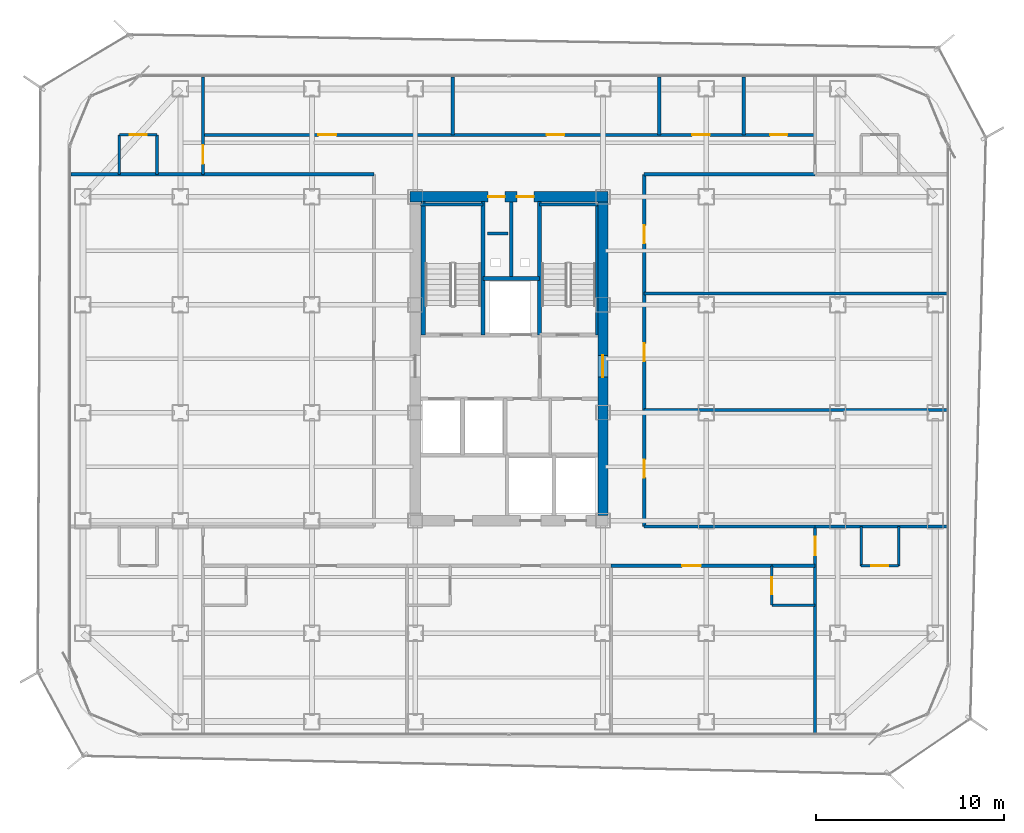
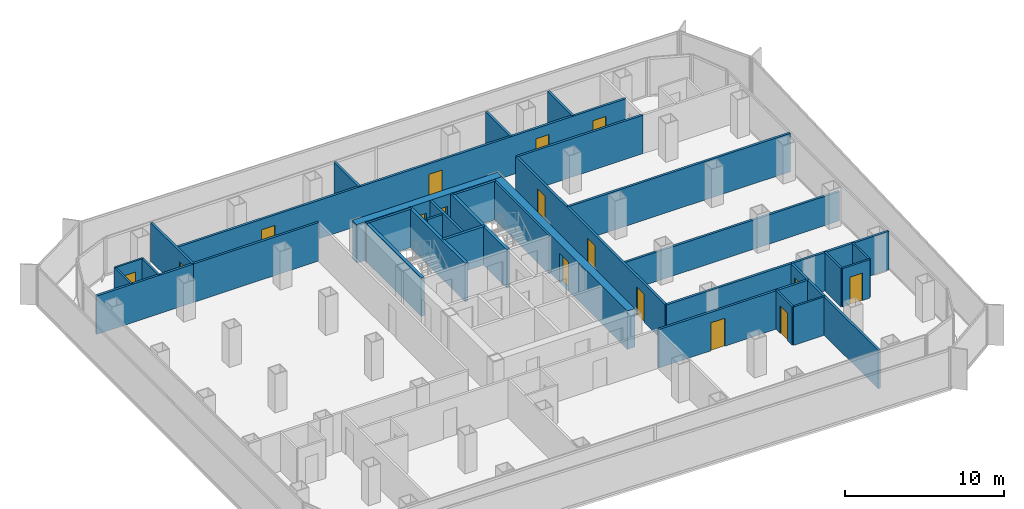
# One storey, part 17 of 21: 35 walls, 16 doors, 16 openings.
"""IFC4 building model written with IfcOpenShell, lengths in metres."""

from ifc_helpers import new_model, si_unit, direction, frame, frame_2d, origin, place, context, subcontext, project, spatial, rectangle, extrude, material, layer, layer_set, type_object, element, fill, save


model = new_model("IFC4")

# Units and contexts
model_context = context("Model", 3, precision=1e-05, world=origin(), true_north=direction((0.0, 1.0)))
body_context = subcontext(model_context, "Body", "Model", "MODEL_VIEW")
ifc_project = project(units=[si_unit("LENGTHUNIT", "METRE"), si_unit("AREAUNIT", "SQUARE_METRE"), si_unit("VOLUMEUNIT", "CUBIC_METRE"), si_unit("PLANEANGLEUNIT", "RADIAN"), si_unit("MASSUNIT", "GRAM", prefix="KILO")], contexts=[model_context])

# Site, building, storey
site_placement = place(None, origin())
site = spatial("IfcSite", under=ifc_project, at=site_placement, CompositionType="ELEMENT")
building_placement = place(site_placement, origin())
building = spatial("IfcBuilding", under=site, at=building_placement, Name="Kolveth Station Tower", CompositionType="ELEMENT")
storey_placement = place(building_placement, frame((0.0, 0.0, 118.300048828125)))
storey = spatial("IfcBuildingStorey", under=building, at=storey_placement, Name="L32", CompositionType="ELEMENT", Elevation=118.300048828125)

# Wall, openings, doors
ifc_material_1 = material(Name="Concrete C60/75", Category="concrete")
ifc_layer_1 = layer(ifc_material_1, 0.550048828125)
ifc_layer_set_1 = layer_set([ifc_layer_1], Name="Concrete C60/75")
wall_type_1 = type_object("IfcWallType", Name="Wall_CW-550", PredefinedType="SHEAR", material=ifc_layer_set_1)
wall_1_placement = place(storey_placement, frame((18.22509765625, 28.75, 0.0), z_axis=(0.0, 0.0, 1.0), x_axis=(1.0, 0.0, 0.0)))
wall_1 = element("IfcWall", 1, at=wall_1_placement, inside=storey, type_object=wall_type_1, Name="L32 Core RC Shear Wall N", PredefinedType="SHEAR", context=body_context, shape_type="SweptSolid", body=[
    extrude(rectangle(XDim=10.5498046875, YDim=0.550048828125, at=frame_2d((5.27490234375, 0.0))), origin(), (0.0, 0.0, 1.0), 2.949951171875),
])
opening_1_placement = place(wall_1_placement, frame((4.155029296875, 0.0, 0.0)))
opening_1 = element("IfcOpeningElement", 2, at=opening_1_placement, cuts=wall_1, Name="Opening RD1", PredefinedType="OPENING", context=body_context, shape_type="SweptSolid", body=[
    extrude(rectangle(XDim=0.89990234375, YDim=2.050048828125, at=frame_2d((0.449951171875, 1.02490234375))), frame((0.0, 0.284912109375, 0.0), z_axis=(0.0, -1.0, 0.0), x_axis=(1.0, 0.0, 0.0)), (0.0, 0.0, 1.0), 0.570068359375),
])
opening_2_placement = place(wall_1_placement, frame((5.695068359375, 0.0, 0.0)))
opening_2 = element("IfcOpeningElement", 3, at=opening_2_placement, cuts=wall_1, Name="Opening RD1", PredefinedType="OPENING", context=body_context, shape_type="SweptSolid", body=[
    extrude(rectangle(XDim=0.89990234375, YDim=2.050048828125, at=frame_2d((0.449951171875, 1.02490234375))), frame((0.0, 0.284912109375, 0.0), z_axis=(0.0, -1.0, 0.0), x_axis=(1.0, 0.0, 0.0)), (0.0, 0.0, 1.0), 0.570068359375),
])
ifc_material_2 = material(Name="Fire-rated Steel S355 riser access leaf", Category="steel")
door_type_1 = type_object("IfcDoorType", Name="Door_RD1", OperationType="NOTDEFINED", PredefinedType="DOOR", material=ifc_material_2)
door_1_placement = place(opening_1_placement, origin())
door_1 = element("IfcDoor", 4, at=door_1_placement, inside=storey, type_object=door_type_1, Name="L32 Electrical Riser Access Door", OperationType="SINGLE_SWING_RIGHT", OverallHeight=2.050048828125, OverallWidth=0.89990234375, PredefinedType="DOOR", context=body_context, shape_type="SweptSolid", body=[
    extrude(rectangle(XDim=0.89990234375, YDim=2.050048828125, at=frame_2d((0.449951171875, 1.02490234375))), frame((0.0, 0.02490234375, 0.0), z_axis=(0.0, -1.0, 0.0), x_axis=(1.0, 0.0, 0.0)), (0.0, 0.0, 1.0), 0.050048828125),
])
fill(opening_1, door_1)
door_2_placement = place(opening_2_placement, origin())
door_2 = element("IfcDoor", 5, at=door_2_placement, inside=storey, type_object=door_type_1, Name="L32 Smoke Duct Access Door", OperationType="SINGLE_SWING_LEFT", OverallHeight=2.050048828125, OverallWidth=0.89990234375, PredefinedType="DOOR", context=body_context, shape_type="SweptSolid", body=[
    extrude(rectangle(XDim=0.89990234375, YDim=2.050048828125, at=frame_2d((0.449951171875, 1.02490234375))), frame((0.0, 0.02490234375, 0.0), z_axis=(0.0, -1.0, 0.0), x_axis=(1.0, 0.0, 0.0)), (0.0, 0.0, 1.0), 0.050048828125),
])
fill(opening_2, door_2)

# Wall, opening, door
wall_2_placement = place(storey_placement, frame((28.5, 11.77490234375, 0.0), z_axis=(0.0, 0.0, 1.0), x_axis=(0.0, 1.0, 0.0)))
wall_2 = element("IfcWall", 6, at=wall_2_placement, inside=storey, type_object=wall_type_1, Name="L32 Core RC Shear Wall E", PredefinedType="SHEAR", context=body_context, shape_type="SweptSolid", body=[
    extrude(rectangle(XDim=16.7001953125, YDim=0.550048828125, at=frame_2d((8.35009765625, 0.0))), origin(), (0.0, 0.0, 1.0), 2.949951171875),
])
opening_3_placement = place(wall_2_placement, frame((7.375, 0.0, 0.0)))
opening_3 = element("IfcOpeningElement", 7, at=opening_3_placement, cuts=wall_2, Name="Opening FD1", PredefinedType="OPENING", context=body_context, shape_type="SweptSolid", body=[
    extrude(rectangle(XDim=1.14990234375, YDim=2.199951171875, at=frame_2d((0.574951171875, 1.10009765625))), frame((0.0, 0.284912109375, 0.0), z_axis=(0.0, -1.0, 0.0), x_axis=(1.0, 0.0, 0.0)), (0.0, 0.0, 1.0), 0.570068359375),
])
ifc_material_3 = material(Name="Fire-rated Steel S355 leaf and frame", Category="steel")
door_type_2 = type_object("IfcDoorType", Name="Door_FD1", OperationType="NOTDEFINED", PredefinedType="DOOR", material=ifc_material_3)
door_3_placement = place(opening_3_placement, origin())
door_3 = element("IfcDoor", 8, at=door_3_placement, inside=storey, type_object=door_type_2, Name="L32 East Corridor to Stair Lobby Door", OperationType="SINGLE_SWING_LEFT", OverallHeight=2.199951171875, OverallWidth=1.14990234375, PredefinedType="DOOR", context=body_context, shape_type="SweptSolid", body=[
    extrude(rectangle(XDim=1.14990234375, YDim=2.199951171875, at=frame_2d((0.574951171875, 1.10009765625))), frame((0.0, 0.02490234375, 0.0), z_axis=(0.0, -1.0, 0.0), x_axis=(1.0, 0.0, 0.0)), (0.0, 0.0, 1.0), 0.050048828125),
])
fill(opening_3, door_3)

# Walls
ifc_material_4 = material(Name="Moisture-resistant gypsum partition")
ifc_layer_2 = layer(ifc_material_4, 0.135009765625)
ifc_layer_set_2 = layer_set([ifc_layer_2], Name="Moisture-resistant gypsum partition")
wall_type_2 = type_object("IfcWallType", Name="Wall_IW-135", PredefinedType="PARTITIONING", material=ifc_layer_set_2)
wall_3_placement = place(storey_placement, frame((28.16748046875, 21.389892578125, 0.0), z_axis=(0.0, 0.0, 1.0), x_axis=(0.0, 1.0, 0.0)))
element("IfcWall", 9, at=wall_3_placement, inside=storey, type_object=wall_type_2, Name="L32 Stair Shaft Wall WL-L32-ST2-E", PredefinedType="PARTITIONING", context=body_context, shape_type="SweptSolid", body=[
    extrude(rectangle(XDim=6.945068359375, YDim=0.135009765625, at=frame_2d((3.47265625, 0.0))), origin(), (0.0, 0.0, 1.0), 2.949951171875),
])
for number, where, z_axis, x_axis, name in (
    (10, (2.75, 29.949951171875, 0.0), (0.0, 0.0, 1.0), (0.0, 1.0, 0.0), "L32 Partition Wall WL-L32-WS2-BV1"),
    (11, (4.75, 29.949951171875, 0.0), (0.0, 0.0, 1.0), (0.0, 1.0, 0.0), "L32 Partition Wall WL-L32-WS2-BV2"),
):
    element("IfcWall", number, at=place(storey_placement, frame(where, z_axis=z_axis, x_axis=x_axis)), inside=storey, type_object=wall_type_2, Name=name, PredefinedType="PARTITIONING", context=body_context, shape_type="SweptSolid", body=[
        extrude(rectangle(XDim=2.10009765625, YDim=0.135009765625, at=frame_2d((1.050048828125, 0.0))), origin(), (0.0, 0.0, 1.0), 2.949951171875),
    ])

# Wall, opening, door
wall_4_placement = place(storey_placement, frame((2.75, 32.050048828125, 0.0), z_axis=(0.0, 0.0, 1.0), x_axis=(1.0, 0.0, 0.0)))
wall_4 = element("IfcWall", 12, at=wall_4_placement, inside=storey, type_object=wall_type_2, Name="L32 Partition Wall WL-L32-WS2-BH", PredefinedType="PARTITIONING", context=body_context, shape_type="SweptSolid", body=[
    extrude(rectangle(XDim=2.0, YDim=0.135009765625, at=frame_2d((1.0, 0.0))), origin(), (0.0, 0.0, 1.0), 2.949951171875),
])
opening_4_placement = place(wall_4_placement, frame((0.5400390625, 0.0, 0.0)))
opening_4 = element("IfcOpeningElement", 13, at=opening_4_placement, cuts=wall_4, Name="Opening ID2", PredefinedType="OPENING", context=body_context, shape_type="SweptSolid", body=[
    extrude(rectangle(XDim=0.919921875, YDim=2.10009765625, at=frame_2d((0.4599609375, 1.050048828125))), frame((0.0, 0.077392578125, 0.0), z_axis=(0.0, -1.0, 0.0), x_axis=(1.0, 0.0, 0.0)), (0.0, 0.0, 1.0), 0.155029296875),
])
ifc_material_5 = material(Name="Moisture-resistant hardwood leaf", Category="wood")
door_type_3 = type_object("IfcDoorType", Name="Door_ID2", OperationType="NOTDEFINED", PredefinedType="DOOR", material=ifc_material_5)
door_4_placement = place(opening_4_placement, frame((0.919921875, 0.0, 0.0), z_axis=(0.0, 0.0, 1.0), x_axis=(-1.0, 0.0, 0.0)))
door_4 = element("IfcDoor", 14, at=door_4_placement, inside=storey, type_object=door_type_3, Name="L32 Hotel Guest Room WS2 En-Suite Door", OperationType="SINGLE_SWING_LEFT", OverallHeight=2.10009765625, OverallWidth=0.919921875, PredefinedType="DOOR", context=body_context, shape_type="SweptSolid", body=[
    extrude(rectangle(XDim=0.919921875, YDim=2.10009765625, at=frame_2d((0.4599609375, 1.050048828125))), frame((0.0, 0.02490234375, 0.0), z_axis=(0.0, -1.0, 0.0), x_axis=(1.0, 0.0, 0.0)), (0.0, 0.0, 1.0), 0.050048828125),
])
fill(opening_4, door_4)

# Walls
for number, where, z_axis, x_axis, name in (
    (15, (42.25, 9.10009765625, 0.0), (0.0, 0.0, 1.0), (0.0, 1.0, 0.0), "L32 Partition Wall WL-L32-ES1-BV1"),
    (16, (44.25, 9.10009765625, 0.0), (0.0, 0.0, 1.0), (0.0, 1.0, 0.0), "L32 Partition Wall WL-L32-ES1-BV2"),
):
    element("IfcWall", number, at=place(storey_placement, frame(where, z_axis=z_axis, x_axis=x_axis)), inside=storey, type_object=wall_type_2, Name=name, PredefinedType="PARTITIONING", context=body_context, shape_type="SweptSolid", body=[
        extrude(rectangle(XDim=2.099853515625, YDim=0.135009765625, at=frame_2d((1.0498046875, 0.0))), origin(), (0.0, 0.0, 1.0), 2.949951171875),
    ])

# Wall, opening, door
wall_5_placement = place(storey_placement, frame((42.25, 9.10009765625, 0.0), z_axis=(0.0, 0.0, 1.0), x_axis=(1.0, 0.0, 0.0)))
wall_5 = element("IfcWall", 17, at=wall_5_placement, inside=storey, type_object=wall_type_2, Name="L32 Partition Wall WL-L32-ES1-BH", PredefinedType="PARTITIONING", context=body_context, shape_type="SweptSolid", body=[
    extrude(rectangle(XDim=2.0, YDim=0.135009765625, at=frame_2d((1.0, 0.0))), origin(), (0.0, 0.0, 1.0), 2.949951171875),
])
opening_5_placement = place(wall_5_placement, frame((0.5400390625, 0.0, 0.0)))
opening_5 = element("IfcOpeningElement", 18, at=opening_5_placement, cuts=wall_5, Name="Opening ID2", PredefinedType="OPENING", context=body_context, shape_type="SweptSolid", body=[
    extrude(rectangle(XDim=0.919921875, YDim=2.10009765625, at=frame_2d((0.4599609375, 1.050048828125))), frame((0.0, 0.077392578125, 0.0), z_axis=(0.0, -1.0, 0.0), x_axis=(1.0, 0.0, 0.0)), (0.0, 0.0, 1.0), 0.155029296875),
])
door_5_placement = place(opening_5_placement, origin())
door_5 = element("IfcDoor", 19, at=door_5_placement, inside=storey, type_object=door_type_3, Name="L32 Hotel Corner Suite ES1 En-Suite Door", OperationType="SINGLE_SWING_LEFT", OverallHeight=2.10009765625, OverallWidth=0.919921875, PredefinedType="DOOR", context=body_context, shape_type="SweptSolid", body=[
    extrude(rectangle(XDim=0.919921875, YDim=2.10009765625, at=frame_2d((0.4599609375, 1.050048828125))), frame((0.0, 0.02490234375, 0.0), z_axis=(0.0, -1.0, 0.0), x_axis=(1.0, 0.0, 0.0)), (0.0, 0.0, 1.0), 0.050048828125),
])
fill(opening_5, door_5)

wall_6_placement = place(storey_placement, frame((37.5, 7.0, 0.0), z_axis=(0.0, 0.0, 1.0), x_axis=(0.0, 1.0, 0.0)))
wall_6 = element("IfcWall", 20, at=wall_6_placement, inside=storey, type_object=wall_type_2, Name="L32 Partition Wall WL-L32-HS3-BV", PredefinedType="PARTITIONING", context=body_context, shape_type="SweptSolid", body=[
    extrude(rectangle(XDim=2.10009765625, YDim=0.135009765625, at=frame_2d((1.050048828125, 0.0))), origin(), (0.0, 0.0, 1.0), 2.949951171875),
])
opening_6_placement = place(wall_6_placement, frame((0.580078125, 0.0, 0.0)))
opening_6 = element("IfcOpeningElement", 21, at=opening_6_placement, cuts=wall_6, Name="Opening ID2", PredefinedType="OPENING", context=body_context, shape_type="SweptSolid", body=[
    extrude(rectangle(XDim=0.919921875, YDim=2.10009765625, at=frame_2d((0.4599609375, 1.050048828125))), frame((0.0, 0.077392578125, 0.0), z_axis=(0.0, -1.0, 0.0), x_axis=(1.0, 0.0, 0.0)), (0.0, 0.0, 1.0), 0.155029296875),
])
door_6_placement = place(opening_6_placement, origin())
door_6 = element("IfcDoor", 22, at=door_6_placement, inside=storey, type_object=door_type_3, Name="L32 Hotel Corner Suite HS3 En-Suite Door", OperationType="SINGLE_SWING_LEFT", OverallHeight=2.10009765625, OverallWidth=0.919921875, PredefinedType="DOOR", context=body_context, shape_type="SweptSolid", body=[
    extrude(rectangle(XDim=0.919921875, YDim=2.10009765625, at=frame_2d((0.4599609375, 1.050048828125))), frame((0.0, 0.02490234375, 0.0), z_axis=(0.0, -1.0, 0.0), x_axis=(1.0, 0.0, 0.0)), (0.0, 0.0, 1.0), 0.050048828125),
])
fill(opening_6, door_6)

# Walls
wall_7_placement = place(storey_placement, frame((37.5, 7.0, 0.0), z_axis=(0.0, 0.0, 1.0), x_axis=(1.0, 0.0, 0.0)))
element("IfcWall", 23, at=wall_7_placement, inside=storey, type_object=wall_type_2, Name="L32 Partition Wall WL-L32-HS3-BH", PredefinedType="PARTITIONING", context=body_context, shape_type="SweptSolid", body=[
    extrude(rectangle(XDim=2.300048828125, YDim=0.135009765625, at=frame_2d((1.14990234375, 0.0))), origin(), (0.0, 0.0, 1.0), 2.949951171875),
])
ifc_material_6 = material(Name="Acoustic double-stud gypsum partition")
ifc_layer_3 = layer(ifc_material_6, 0.1650390625)
ifc_layer_set_3 = layer_set([ifc_layer_3], Name="Acoustic double-stud gypsum partition")
wall_type_3 = type_object("IfcWallType", Name="Wall_IW-165", PredefinedType="PARTITIONING", material=ifc_layer_set_3)
wall_8_placement = place(storey_placement, frame((18.784912109375, 28.3349609375, 0.0), z_axis=(0.0, 0.0, 1.0), x_axis=(1.0, 0.0, 0.0)))
element("IfcWall", 24, at=wall_8_placement, inside=storey, type_object=wall_type_3, Name="L32 Stair Shaft Wall WL-L32-ST1-N", PredefinedType="PARTITIONING", context=body_context, shape_type="SweptSolid", body=[
    extrude(rectangle(XDim=3.3251953125, YDim=0.1650390625, at=frame_2d((1.66259765625, 0.0))), origin(), (0.0, 0.0, 1.0), 2.949951171875),
])
wall_9_placement = place(storey_placement, frame((25.1298828125, 28.3349609375, 0.0), z_axis=(0.0, 0.0, 1.0), x_axis=(1.0, 0.0, 0.0)))
element("IfcWall", 25, at=wall_9_placement, inside=storey, type_object=wall_type_3, Name="L32 Stair Shaft Wall WL-L32-ST2-N", PredefinedType="PARTITIONING", context=body_context, shape_type="SweptSolid", body=[
    extrude(rectangle(XDim=3.085205078125, YDim=0.1650390625, at=frame_2d((1.54248046875, 0.0))), origin(), (0.0, 0.0, 1.0), 2.949951171875),
])
wall_10_placement = place(storey_placement, frame((23.6201171875, 24.39990234375, 0.0), z_axis=(0.0, 0.0, 1.0), x_axis=(0.0, 1.0, 0.0)))
element("IfcWall", 26, at=wall_10_placement, inside=storey, type_object=wall_type_3, Name="L32 Partition Wall WL-L32-RSR-M", PredefinedType="PARTITIONING", context=body_context, shape_type="SweptSolid", body=[
    extrude(rectangle(XDim=4.065185546875, YDim=0.1650390625, at=frame_2d((2.03271484375, 0.0))), origin(), (0.0, 0.0, 1.0), 2.949951171875),
])

# Wall, openings, doors
wall_11_placement = place(storey_placement, frame((7.199951171875, 32.050048828125, 0.0), z_axis=(0.0, 0.0, 1.0), x_axis=(1.0, 0.0, 0.0)))
wall_11 = element("IfcWall", 27, at=wall_11_placement, inside=storey, type_object=wall_type_3, Name="L32 Partition Wall WL-L32-HN", PredefinedType="PARTITIONING", context=body_context, shape_type="SweptSolid", body=[
    extrude(rectangle(XDim=32.60009765625, YDim=0.1650390625, at=frame_2d((16.300048828125, 0.0))), origin(), (0.0, 0.0, 1.0), 2.949951171875),
])
opening_7_placement = place(wall_11_placement, frame((6.14990234375, 0.0, 0.0)))
opening_7 = element("IfcOpeningElement", 28, at=opening_7_placement, cuts=wall_11, Name="Opening ID1", PredefinedType="OPENING", context=body_context, shape_type="SweptSolid", body=[
    extrude(rectangle(XDim=0.949951171875, YDim=2.14990234375, at=frame_2d((0.47509765625, 1.074951171875))), frame((0.0, 0.092529296875, 0.0), z_axis=(0.0, -1.0, 0.0), x_axis=(1.0, 0.0, 0.0)), (0.0, 0.0, 1.0), 0.18505859375),
])
opening_8_placement = place(wall_11_placement, frame((18.300048828125, 0.0, 0.0)))
opening_8 = element("IfcOpeningElement", 29, at=opening_8_placement, cuts=wall_11, Name="Opening ID1", PredefinedType="OPENING", context=body_context, shape_type="SweptSolid", body=[
    extrude(rectangle(XDim=0.949951171875, YDim=2.14990234375, at=frame_2d((0.47509765625, 1.074951171875))), frame((0.0, 0.092529296875, 0.0), z_axis=(0.0, -1.0, 0.0), x_axis=(1.0, 0.0, 0.0)), (0.0, 0.0, 1.0), 0.18505859375),
])
opening_9_placement = place(wall_11_placement, frame((26.050048828125, 0.0, 0.0)))
opening_9 = element("IfcOpeningElement", 30, at=opening_9_placement, cuts=wall_11, Name="Opening ID1", PredefinedType="OPENING", context=body_context, shape_type="SweptSolid", body=[
    extrude(rectangle(XDim=0.949951171875, YDim=2.14990234375, at=frame_2d((0.47509765625, 1.074951171875))), frame((0.0, 0.092529296875, 0.0), z_axis=(0.0, -1.0, 0.0), x_axis=(1.0, 0.0, 0.0)), (0.0, 0.0, 1.0), 0.18505859375),
])
opening_10_placement = place(wall_11_placement, frame((30.199951171875, 0.0, 0.0)))
opening_10 = element("IfcOpeningElement", 31, at=opening_10_placement, cuts=wall_11, Name="Opening ID2", PredefinedType="OPENING", context=body_context, shape_type="SweptSolid", body=[
    extrude(rectangle(XDim=0.919921875, YDim=2.10009765625, at=frame_2d((0.4599609375, 1.050048828125))), frame((0.0, 0.092529296875, 0.0), z_axis=(0.0, -1.0, 0.0), x_axis=(1.0, 0.0, 0.0)), (0.0, 0.0, 1.0), 0.18505859375),
])
ifc_material_7 = material(Name="Acoustic hardwood leaf and aluminium frame", Category="wood")
door_type_4 = type_object("IfcDoorType", Name="Door_ID1", OperationType="NOTDEFINED", PredefinedType="DOOR", material=ifc_material_7)
door_7_placement = place(opening_7_placement, origin())
door_7 = element("IfcDoor", 32, at=door_7_placement, inside=storey, type_object=door_type_4, Name="L32 Spa Wellness Consultation Door", OperationType="SINGLE_SWING_LEFT", OverallHeight=2.14990234375, OverallWidth=0.949951171875, PredefinedType="DOOR", context=body_context, shape_type="SweptSolid", body=[
    extrude(rectangle(XDim=0.949951171875, YDim=2.14990234375, at=frame_2d((0.47509765625, 1.074951171875))), frame((0.0, 0.02490234375, 0.0), z_axis=(0.0, -1.0, 0.0), x_axis=(1.0, 0.0, 0.0)), (0.0, 0.0, 1.0), 0.050048828125),
])
fill(opening_7, door_7)
door_8_placement = place(opening_8_placement, origin())
door_8 = element("IfcDoor", 33, at=door_8_placement, inside=storey, type_object=door_type_4, Name="L32 Floor Service Pantry Door", OperationType="SINGLE_SWING_RIGHT", OverallHeight=2.14990234375, OverallWidth=0.949951171875, PredefinedType="DOOR", context=body_context, shape_type="SweptSolid", body=[
    extrude(rectangle(XDim=0.949951171875, YDim=2.14990234375, at=frame_2d((0.47509765625, 1.074951171875))), frame((0.0, 0.02490234375, 0.0), z_axis=(0.0, -1.0, 0.0), x_axis=(1.0, 0.0, 0.0)), (0.0, 0.0, 1.0), 0.050048828125),
])
fill(opening_8, door_8)
door_9_placement = place(opening_9_placement, origin())
door_9 = element("IfcDoor", 34, at=door_9_placement, inside=storey, type_object=door_type_4, Name="L32 Luggage Store Door", OperationType="SINGLE_SWING_LEFT", OverallHeight=2.14990234375, OverallWidth=0.949951171875, PredefinedType="DOOR", context=body_context, shape_type="SweptSolid", body=[
    extrude(rectangle(XDim=0.949951171875, YDim=2.14990234375, at=frame_2d((0.47509765625, 1.074951171875))), frame((0.0, 0.02490234375, 0.0), z_axis=(0.0, -1.0, 0.0), x_axis=(1.0, 0.0, 0.0)), (0.0, 0.0, 1.0), 0.050048828125),
])
fill(opening_9, door_9)
door_10_placement = place(opening_10_placement, origin())
door_10 = element("IfcDoor", 35, at=door_10_placement, inside=storey, type_object=door_type_3, Name="L32 Accessible Guest WC Door", OperationType="SINGLE_SWING_RIGHT", OverallHeight=2.10009765625, OverallWidth=0.919921875, PredefinedType="DOOR", context=body_context, shape_type="SweptSolid", body=[
    extrude(rectangle(XDim=0.919921875, YDim=2.10009765625, at=frame_2d((0.4599609375, 1.050048828125))), frame((0.0, 0.02490234375, 0.0), z_axis=(0.0, -1.0, 0.0), x_axis=(1.0, 0.0, 0.0)), (0.0, 0.0, 1.0), 0.050048828125),
])
fill(opening_10, door_10)

# Walls
for number, where, z_axis, x_axis, name in (
    (36, (30.699951171875, 11.199951171875, 0.0), (0.0, 0.0, 1.0), (1.0, 0.0, 0.0), "L32 Partition Wall WL-L32-HSET"),
    (37, (7.199951171875, 29.949951171875, 0.0), (0.0, 0.0, 1.0), (1.0, 0.0, 0.0), "L32 Partition Wall WL-L32-HNWB"),
    (38, (30.699951171875, 29.949951171875, 0.0), (0.0, 0.0, 1.0), (1.0, 0.0, 0.0), "L32 Partition Wall WL-L32-HNEB"),
):
    element("IfcWall", number, at=place(storey_placement, frame(where, z_axis=z_axis, x_axis=x_axis)), inside=storey, type_object=wall_type_3, Name=name, PredefinedType="PARTITIONING", context=body_context, shape_type="SweptSolid", body=[
        extrude(rectangle(XDim=9.10009765625, YDim=0.1650390625, at=frame_2d((4.550048828125, 0.0))), origin(), (0.0, 0.0, 1.0), 2.949951171875),
    ])

# Wall, openings, doors
wall_12_placement = place(storey_placement, frame((30.699951171875, 11.199951171875, 0.0), z_axis=(0.0, 0.0, 1.0), x_axis=(0.0, 1.0, 0.0)))
wall_12 = element("IfcWall", 39, at=wall_12_placement, inside=storey, type_object=wall_type_3, Name="L32 Partition Wall WL-L32-HE", PredefinedType="PARTITIONING", context=body_context, shape_type="SweptSolid", body=[
    extrude(rectangle(XDim=18.75, YDim=0.1650390625, at=frame_2d((9.375, 0.0))), origin(), (0.0, 0.0, 1.0), 2.949951171875),
])
opening_11_placement = place(wall_12_placement, frame((2.60009765625, 0.0, 0.0)))
opening_11 = element("IfcOpeningElement", 40, at=opening_11_placement, cuts=wall_12, Name="Opening ID1", PredefinedType="OPENING", context=body_context, shape_type="SweptSolid", body=[
    extrude(rectangle(XDim=0.949951171875, YDim=2.14990234375, at=frame_2d((0.47509765625, 1.074951171875))), frame((0.0, 0.092529296875, 0.0), z_axis=(0.0, -1.0, 0.0), x_axis=(1.0, 0.0, 0.0)), (0.0, 0.0, 1.0), 0.18505859375),
])
opening_12_placement = place(wall_12_placement, frame((8.800048828125, 0.0, 0.0)))
opening_12 = element("IfcOpeningElement", 41, at=opening_12_placement, cuts=wall_12, Name="Opening ID1", PredefinedType="OPENING", context=body_context, shape_type="SweptSolid", body=[
    extrude(rectangle(XDim=0.949951171875, YDim=2.14990234375, at=frame_2d((0.47509765625, 1.074951171875))), frame((0.0, 0.092529296875, 0.0), z_axis=(0.0, -1.0, 0.0), x_axis=(1.0, 0.0, 0.0)), (0.0, 0.0, 1.0), 0.18505859375),
])
opening_13_placement = place(wall_12_placement, frame((15.074951171875, 0.0, 0.0)))
opening_13 = element("IfcOpeningElement", 42, at=opening_13_placement, cuts=wall_12, Name="Opening ID1", PredefinedType="OPENING", context=body_context, shape_type="SweptSolid", body=[
    extrude(rectangle(XDim=0.949951171875, YDim=2.14990234375, at=frame_2d((0.47509765625, 1.074951171875))), frame((0.0, 0.092529296875, 0.0), z_axis=(0.0, -1.0, 0.0), x_axis=(1.0, 0.0, 0.0)), (0.0, 0.0, 1.0), 0.18505859375),
])
door_11_placement = place(opening_11_placement, origin())
door_11 = element("IfcDoor", 43, at=door_11_placement, inside=storey, type_object=door_type_4, Name="L32 Meeting Room E1 Door", OperationType="SINGLE_SWING_RIGHT", OverallHeight=2.14990234375, OverallWidth=0.949951171875, PredefinedType="DOOR", context=body_context, shape_type="SweptSolid", body=[
    extrude(rectangle(XDim=0.949951171875, YDim=2.14990234375, at=frame_2d((0.47509765625, 1.074951171875))), frame((0.0, 0.02490234375, 0.0), z_axis=(0.0, -1.0, 0.0), x_axis=(1.0, 0.0, 0.0)), (0.0, 0.0, 1.0), 0.050048828125),
])
fill(opening_11, door_11)
door_12_placement = place(opening_12_placement, origin())
door_12 = element("IfcDoor", 44, at=door_12_placement, inside=storey, type_object=door_type_4, Name="L32 Meeting Room E2 Door", OperationType="SINGLE_SWING_LEFT", OverallHeight=2.14990234375, OverallWidth=0.949951171875, PredefinedType="DOOR", context=body_context, shape_type="SweptSolid", body=[
    extrude(rectangle(XDim=0.949951171875, YDim=2.14990234375, at=frame_2d((0.47509765625, 1.074951171875))), frame((0.0, 0.02490234375, 0.0), z_axis=(0.0, -1.0, 0.0), x_axis=(1.0, 0.0, 0.0)), (0.0, 0.0, 1.0), 0.050048828125),
])
fill(opening_12, door_12)
door_13_placement = place(opening_13_placement, origin())
door_13 = element("IfcDoor", 45, at=door_13_placement, inside=storey, type_object=door_type_4, Name="L32 Business Study E3 Door", OperationType="SINGLE_SWING_RIGHT", OverallHeight=2.14990234375, OverallWidth=0.949951171875, PredefinedType="DOOR", context=body_context, shape_type="SweptSolid", body=[
    extrude(rectangle(XDim=0.949951171875, YDim=2.14990234375, at=frame_2d((0.47509765625, 1.074951171875))), frame((0.0, 0.02490234375, 0.0), z_axis=(0.0, -1.0, 0.0), x_axis=(1.0, 0.0, 0.0)), (0.0, 0.0, 1.0), 0.050048828125),
])
fill(opening_13, door_13)

# Wall, opening, door
wall_13_placement = place(storey_placement, frame((7.199951171875, 29.949951171875, 0.0), z_axis=(0.0, 0.0, 1.0), x_axis=(0.0, 1.0, 0.0)))
wall_13 = element("IfcWall", 46, at=wall_13_placement, inside=storey, type_object=wall_type_3, Name="L32 Partition Wall WL-L32-END-WN", PredefinedType="PARTITIONING", context=body_context, shape_type="SweptSolid", body=[
    extrude(rectangle(XDim=5.18994140625, YDim=0.1650390625, at=frame_2d((2.594970703125, 0.0))), origin(), (0.0, 0.0, 1.0), 2.949951171875),
])
opening_14_placement = place(wall_13_placement, frame((0.550048828125, 0.0, 0.0)))
opening_14 = element("IfcOpeningElement", 47, at=opening_14_placement, cuts=wall_13, Name="Opening FD3", PredefinedType="OPENING", context=body_context, shape_type="SweptSolid", body=[
    extrude(rectangle(XDim=1.0, YDim=2.14990234375, at=frame_2d((0.5, 1.074951171875))), frame((0.0, 0.092529296875, 0.0), z_axis=(0.0, -1.0, 0.0), x_axis=(1.0, 0.0, 0.0)), (0.0, 0.0, 1.0), 0.18505859375),
])
ifc_material_8 = material(Name="Fire-rated hardwood leaf and aluminium frame", Category="wood")
door_type_5 = type_object("IfcDoorType", Name="Door_FD3", OperationType="NOTDEFINED", PredefinedType="DOOR", material=ifc_material_8)
door_14_placement = place(opening_14_placement, origin())
door_14 = element("IfcDoor", 48, at=door_14_placement, inside=storey, type_object=door_type_5, Name="L32 Hotel Guest Room WS2 Entrance Door", OperationType="SINGLE_SWING_LEFT", OverallHeight=2.14990234375, OverallWidth=1.0, PredefinedType="DOOR", context=body_context, shape_type="SweptSolid", body=[
    extrude(rectangle(XDim=1.0, YDim=2.14990234375, at=frame_2d((0.5, 1.074951171875))), frame((0.0, 0.02490234375, 0.0), z_axis=(0.0, -1.0, 0.0), x_axis=(1.0, 0.0, 0.0)), (0.0, 0.0, 1.0), 0.050048828125),
])
fill(opening_14, door_14)

wall_14_placement = place(storey_placement, frame((39.800048828125, 0.159912109375, 0.0), z_axis=(0.0, 0.0, 1.0), x_axis=(0.0, 1.0, 0.0)))
wall_14 = element("IfcWall", 49, at=wall_14_placement, inside=storey, type_object=wall_type_3, Name="L32 Partition Wall WL-L32-END-ES", PredefinedType="PARTITIONING", context=body_context, shape_type="SweptSolid", body=[
    extrude(rectangle(XDim=11.0400390625, YDim=0.1650390625, at=frame_2d((5.52001953125, 0.0))), origin(), (0.0, 0.0, 1.0), 2.949951171875),
])
opening_15_placement = place(wall_14_placement, frame((9.489990234375, 0.0, 0.0)))
opening_15 = element("IfcOpeningElement", 50, at=opening_15_placement, cuts=wall_14, Name="Opening FD3", PredefinedType="OPENING", context=body_context, shape_type="SweptSolid", body=[
    extrude(rectangle(XDim=1.0, YDim=2.14990234375, at=frame_2d((0.5, 1.074951171875))), frame((0.0, 0.092529296875, 0.0), z_axis=(0.0, -1.0, 0.0), x_axis=(1.0, 0.0, 0.0)), (0.0, 0.0, 1.0), 0.18505859375),
])
door_15_placement = place(opening_15_placement, frame((1.0, 0.0, 0.0), z_axis=(0.0, 0.0, 1.0), x_axis=(-1.0, 0.0, 0.0)))
door_15 = element("IfcDoor", 51, at=door_15_placement, inside=storey, type_object=door_type_5, Name="L32 Hotel Corner Suite ES1 Entrance Door", OperationType="SINGLE_SWING_RIGHT", OverallHeight=2.14990234375, OverallWidth=1.0, PredefinedType="DOOR", context=body_context, shape_type="SweptSolid", body=[
    extrude(rectangle(XDim=1.0, YDim=2.14990234375, at=frame_2d((0.5, 1.074951171875))), frame((0.0, 0.02490234375, 0.0), z_axis=(0.0, -1.0, 0.0), x_axis=(1.0, 0.0, 0.0)), (0.0, 0.0, 1.0), 0.050048828125),
])
fill(opening_15, door_15)

# Walls
for number, where, z_axis, x_axis, name in (
    (52, (0.159912109375, 29.949951171875, 0.0), (0.0, 0.0, 1.0), (1.0, 0.0, 0.0), "L32 Partition Wall WL-L32-WM2"),
    (53, (39.800048828125, 11.199951171875, 0.0), (0.0, 0.0, 1.0), (1.0, 0.0, 0.0), "L32 Partition Wall WL-L32-EM1"),
):
    element("IfcWall", number, at=place(storey_placement, frame(where, z_axis=z_axis, x_axis=x_axis)), inside=storey, type_object=wall_type_3, Name=name, PredefinedType="PARTITIONING", context=body_context, shape_type="SweptSolid", body=[
        extrude(rectangle(XDim=7.0400390625, YDim=0.1650390625, at=frame_2d((3.52001953125, 0.0))), origin(), (0.0, 0.0, 1.0), 2.949951171875),
    ])
wall_15_placement = place(storey_placement, frame((37.5, 9.10009765625, 0.0), z_axis=(0.0, 0.0, 1.0), x_axis=(1.0, 0.0, 0.0)))
element("IfcWall", 54, at=wall_15_placement, inside=storey, type_object=wall_type_3, Name="L32 Partition Wall WL-L32-HS3-BCOR", PredefinedType="PARTITIONING", context=body_context, shape_type="SweptSolid", body=[
    extrude(rectangle(XDim=2.300048828125, YDim=0.1650390625, at=frame_2d((1.14990234375, 0.0))), origin(), (0.0, 0.0, 1.0), 2.949951171875),
])

# Wall, opening, door
wall_16_placement = place(storey_placement, frame((28.93310546875, 9.10009765625, 0.0), z_axis=(0.0, 0.0, 1.0), x_axis=(1.0, 0.0, 0.0)))
wall_16 = element("IfcWall", 55, at=wall_16_placement, inside=storey, type_object=wall_type_3, Name="L32 Partition Wall WL-L32-HS3-RCOR", PredefinedType="PARTITIONING", context=body_context, shape_type="SweptSolid", body=[
    extrude(rectangle(XDim=8.56689453125, YDim=0.1650390625, at=frame_2d((4.283447265625, 0.0))), origin(), (0.0, 0.0, 1.0), 2.949951171875),
])
opening_16_placement = place(wall_16_placement, frame((3.782958984375, 0.0, 0.0)))
opening_16 = element("IfcOpeningElement", 56, at=opening_16_placement, cuts=wall_16, Name="Opening FD3", PredefinedType="OPENING", context=body_context, shape_type="SweptSolid", body=[
    extrude(rectangle(XDim=1.0, YDim=2.14990234375, at=frame_2d((0.5, 1.074951171875))), frame((0.0, 0.092529296875, 0.0), z_axis=(0.0, -1.0, 0.0), x_axis=(1.0, 0.0, 0.0)), (0.0, 0.0, 1.0), 0.18505859375),
])
door_16_placement = place(opening_16_placement, frame((1.0, 0.0, 0.0), z_axis=(0.0, 0.0, 1.0), x_axis=(-1.0, 0.0, 0.0)))
door_16 = element("IfcDoor", 57, at=door_16_placement, inside=storey, type_object=door_type_5, Name="L32 Hotel Corner Suite HS3 Entrance Door", OperationType="SINGLE_SWING_LEFT", OverallHeight=2.14990234375, OverallWidth=1.0, PredefinedType="DOOR", context=body_context, shape_type="SweptSolid", body=[
    extrude(rectangle(XDim=1.0, YDim=2.14990234375, at=frame_2d((0.5, 1.074951171875))), frame((0.0, 0.02490234375, 0.0), z_axis=(0.0, -1.0, 0.0), x_axis=(1.0, 0.0, 0.0)), (0.0, 0.0, 1.0), 0.050048828125),
])
fill(opening_16, door_16)

# Walls
for number, where, z_axis, x_axis, name in (
    (58, (20.5, 32.050048828125, 0.0), (0.0, 0.0, 1.0), (0.0, 1.0, 0.0), "L32 Partition Wall WL-L32-HN-P1"),
    (59, (31.5, 32.050048828125, 0.0), (0.0, 0.0, 1.0), (0.0, 1.0, 0.0), "L32 Partition Wall WL-L32-HN-P2"),
    (60, (36.0, 32.050048828125, 0.0), (0.0, 0.0, 1.0), (0.0, 1.0, 0.0), "L32 Partition Wall WL-L32-HN-P3"),
):
    element("IfcWall", number, at=place(storey_placement, frame(where, z_axis=z_axis, x_axis=x_axis)), inside=storey, type_object=wall_type_3, Name=name, PredefinedType="PARTITIONING", context=body_context, shape_type="SweptSolid", body=[
        extrude(rectangle(XDim=3.08984375, YDim=0.1650390625, at=frame_2d((1.544921875, 0.0))), origin(), (0.0, 0.0, 1.0), 2.949951171875),
    ])
wall_17_placement = place(storey_placement, frame((30.699951171875, 17.39990234375, 0.0), z_axis=(0.0, 0.0, 1.0), x_axis=(1.0, 0.0, 0.0)))
element("IfcWall", 61, at=wall_17_placement, inside=storey, type_object=wall_type_3, Name="L32 Partition Wall WL-L32-HME-P1", PredefinedType="PARTITIONING", context=body_context, shape_type="SweptSolid", body=[
    extrude(rectangle(XDim=16.14013671875, YDim=0.1650390625, at=frame_2d((8.070068359375, 0.0))), origin(), (0.0, 0.0, 1.0), 2.2470703125),
])
wall_18_placement = place(storey_placement, frame((30.699951171875, 23.60009765625, 0.0), z_axis=(0.0, 0.0, 1.0), x_axis=(1.0, 0.0, 0.0)))
element("IfcWall", 62, at=wall_18_placement, inside=storey, type_object=wall_type_3, Name="L32 Partition Wall WL-L32-HME-P2", PredefinedType="PARTITIONING", context=body_context, shape_type="SweptSolid", body=[
    extrude(rectangle(XDim=16.14013671875, YDim=0.1650390625, at=frame_2d((8.070068359375, 0.0))), origin(), (0.0, 0.0, 1.0), 2.949951171875),
])
wall_19_placement = place(storey_placement, frame((22.35009765625, 26.800048828125, 0.0), z_axis=(0.0, 0.0, 1.0), x_axis=(1.0, 0.0, 0.0)))
element("IfcWall", 63, at=wall_19_placement, inside=storey, type_object=wall_type_3, Name="L32 Acoustic Riser Dry-Lining Wall", PredefinedType="PARTITIONING", context=body_context, shape_type="SweptSolid", body=[
    extrude(rectangle(XDim=1.099853515625, YDim=0.1650390625, at=frame_2d((0.5498046875, 0.0))), origin(), (0.0, 0.0, 1.0), 2.949951171875),
])
ifc_material_9 = material(Name="Acoustic fire-rated gypsum blockwork", Category="masonry")
ifc_layer_4 = layer(ifc_material_9, 0.199951171875)
ifc_layer_set_4 = layer_set([ifc_layer_4], Name="Acoustic fire-rated gypsum blockwork")
wall_type_4 = type_object("IfcWallType", Name="Wall_IW-200", PredefinedType="PARTITIONING", material=ifc_layer_set_4)
wall_20_placement = place(storey_placement, frame((22.110107421875, 24.39990234375, 0.0), z_axis=(0.0, 0.0, 1.0), x_axis=(1.0, 0.0, 0.0)))
element("IfcWall", 64, at=wall_20_placement, inside=storey, type_object=wall_type_4, Name="L32 Partition Wall WL-L32-RSR-S", PredefinedType="PARTITIONING", context=body_context, shape_type="SweptSolid", body=[
    extrude(rectangle(XDim=3.019775390625, YDim=0.199951171875, at=frame_2d((1.509765625, 0.0))), origin(), (0.0, 0.0, 1.0), 2.949951171875),
])
ifc_material_10 = material(Name="Concrete C40/50", Category="concrete")
ifc_layer_5 = layer(ifc_material_10, 0.219970703125)
ifc_layer_set_5 = layer_set([ifc_layer_5], Name="Concrete C40/50")
wall_type_5 = type_object("IfcWallType", Name="Wall_IW-220", PredefinedType="SOLIDWALL", material=ifc_layer_set_5)
for number, where, z_axis, x_axis, name in (
    (65, (18.929931640625, 21.389892578125, 0.0), (0.0, 0.0, 1.0), (0.0, 1.0, 0.0), "L32 Stair Shaft Wall WL-L32-ST1-W"),
    (66, (22.110107421875, 21.389892578125, 0.0), (0.0, 0.0, 1.0), (0.0, 1.0, 0.0), "L32 Stair Shaft Wall WL-L32-ST1-E"),
    (67, (25.1298828125, 21.389892578125, 0.0), (0.0, 0.0, 1.0), (0.0, 1.0, 0.0), "L32 Stair Shaft Wall WL-L32-ST2-W"),
):
    element("IfcWall", number, at=place(storey_placement, frame(where, z_axis=z_axis, x_axis=x_axis)), inside=storey, type_object=wall_type_5, Name=name, PredefinedType="SOLIDWALL", context=body_context, shape_type="SweptSolid", body=[
        extrude(rectangle(XDim=7.110107421875, YDim=0.219970703125, at=frame_2d((3.55517578125, 0.0))), origin(), (0.0, 0.0, 1.0), 2.949951171875),
    ])

save(model, "model.ifc")
